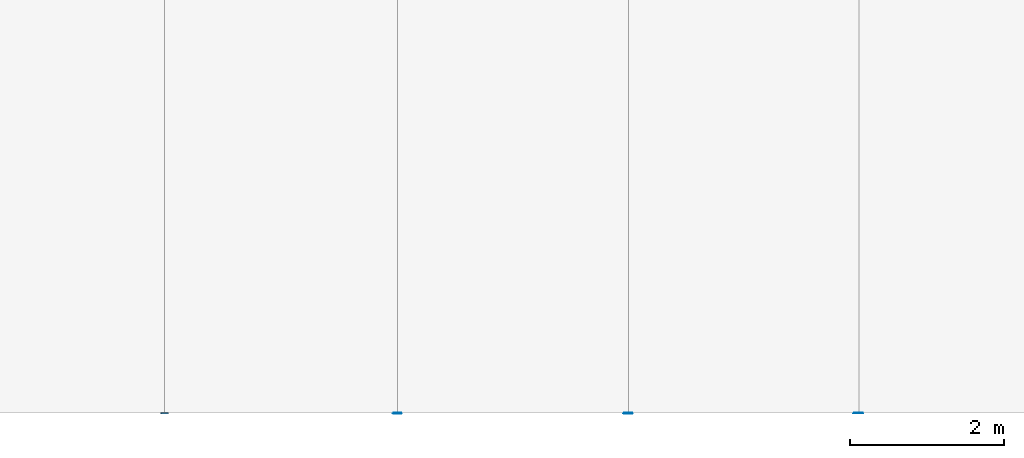
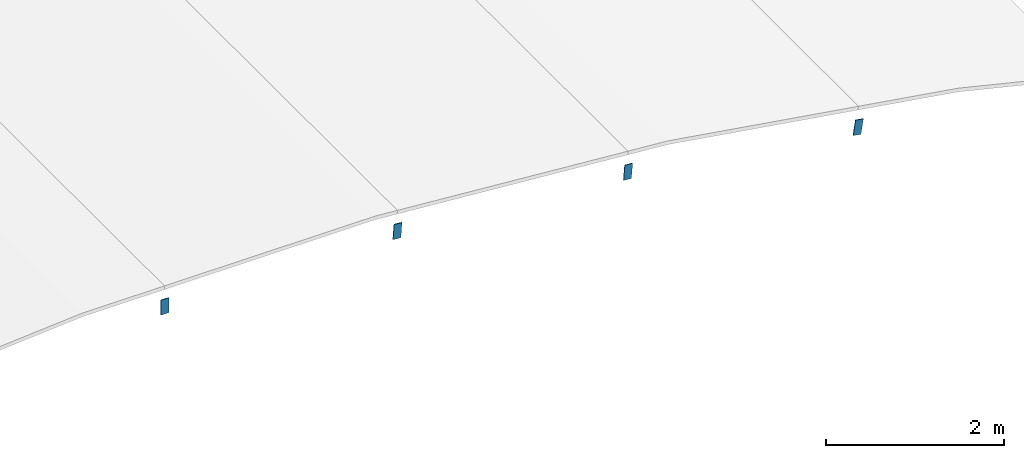
# One storey, part 8 of 13: 4 discrete accessories.
"""IFC4 building model written with IfcOpenShell, lengths in metres."""

import ifcopenshell
import ifcopenshell.guid

model = None  # the IFC model being written
_history = None  # IfcOwnerHistory: only IFC2X3 demands one
_inside = {}  # id of a spatial element -> (the spatial element, [elements in it])
_under = {}  # id of a project, library or spatial element -> (it, [spatial elements below it])
_declared = {}  # id of a project -> (the project, [libraries it declares])
_typed = {}  # id of a type object -> (the type object, [elements of that type])
_made_of = {}  # id of a material, layer set ... -> (it, [elements and type objects made of it])


def new_model(schema):
    """Start an empty IFC model of exactly this schema.

    Asked for "IFC4X3", IfcOpenShell would pick the latest addendum, in which some entities
    have other attributes; the version numbers below select the first issue.
    IFC2X3 requires an IfcOwnerHistory on every rooted entity: one is made here for all.
    """
    global model, _history
    if schema == "IFC4X3":
        model = ifcopenshell.file(schema_version=(4, 3, 0, 0))
    else:
        model = ifcopenshell.file(schema=schema)
    _inside.clear()
    _under.clear()
    _declared.clear()
    _typed.clear()
    _made_of.clear()
    _history = None
    if model.schema == "IFC2X3":
        org = make("IfcOrganization", Name="unknown")
        user = make(
            "IfcPersonAndOrganization",
            ThePerson=make("IfcPerson", FamilyName="unknown"),
            TheOrganization=org,
        )
        app = make(
            "IfcApplication",
            ApplicationDeveloper=org,
            Version="unknown",
            ApplicationFullName="unknown",
            ApplicationIdentifier="unknown",
        )
        _history = make(
            "IfcOwnerHistory",
            OwningUser=user,
            OwningApplication=app,
            ChangeAction="ADDED",
            CreationDate=0,
        )
    return model


def make(cls, **values):
    """One entity of the class cls with the attributes given. An attribute that is None is left unset."""
    return model.create_entity(
        cls, **{name: value for name, value in values.items() if value is not None}
    )


def rooted(cls, **values):
    """An entity with a GlobalId (a new one), such as an element, a storey or a relation."""
    return make(cls, GlobalId=ifcopenshell.guid.new(), OwnerHistory=_history, **values)


def si_unit(unit_type, name, prefix=None):
    """IfcSIUnit, for example si_unit("LENGTHUNIT", "METRE", prefix="MILLI")."""
    return make("IfcSIUnit", UnitType=unit_type, Prefix=prefix, Name=name)


def assignment(units):
    """IfcUnitAssignment: the units of a project."""
    return None if units is None else make("IfcUnitAssignment", Units=units)


def point(xyz):
    """IfcCartesianPoint."""
    return None if xyz is None else make("IfcCartesianPoint", Coordinates=xyz)


def direction(xyz):
    """IfcDirection."""
    return None if xyz is None else make("IfcDirection", DirectionRatios=xyz)


def frame(location, z_axis=None, x_axis=None):
    """IfcAxis2Placement3D, a coordinate frame: its origin and axes. An axis left out is left unset."""
    return make(
        "IfcAxis2Placement3D",
        Location=point(location),
        Axis=direction(z_axis),
        RefDirection=direction(x_axis),
    )


def frame_2d(location, x_axis=None):
    """IfcAxis2Placement2D, a coordinate frame in the plane: its origin and x axis."""
    return make(
        "IfcAxis2Placement2D", Location=point(location), RefDirection=direction(x_axis)
    )


def origin():
    """The frame at (0, 0, 0) with its axes left unset."""
    return frame((0.0, 0.0, 0.0))


def origin_2d():
    """The frame at (0, 0) in the plane with its x axis left unset."""
    return frame_2d((0.0, 0.0))


def place(relative_to, where):
    """IfcLocalPlacement: puts the frame where relative to a parent placement (None: the world)."""
    return make(
        "IfcLocalPlacement", PlacementRelTo=relative_to, RelativePlacement=where
    )


def context(
    kind, dimensions, precision=None, world=None, true_north=None, identifier=None
):
    """IfcGeometricRepresentationContext, for example the 3D "Model" context."""
    return make(
        "IfcGeometricRepresentationContext",
        ContextIdentifier=identifier,
        ContextType=kind,
        CoordinateSpaceDimension=dimensions,
        Precision=precision,
        WorldCoordinateSystem=world,
        TrueNorth=true_north,
    )


def subcontext(parent, identifier, kind, view, scale=None):
    """IfcGeometricRepresentationSubContext, for example "Body" below "Model"."""
    return make(
        "IfcGeometricRepresentationSubContext",
        ContextIdentifier=identifier,
        ContextType=kind,
        ParentContext=parent,
        TargetScale=scale,
        TargetView=view,
    )


def project(units=None, contexts=None):
    """IfcProject with its units and contexts."""
    return rooted(
        "IfcProject",
        Name="project",
        RepresentationContexts=contexts,
        UnitsInContext=assignment(units),
    )


def spatial(cls, under=None, at=None, **own):
    """A site, building, storey or space (cls), placed at a placement, below another one or the project."""
    s = rooted(cls, ObjectPlacement=at, **own)
    if under is not None:
        _under.setdefault(under.id(), (under, []))[1].append(s)
    return s


def profile(cls, at=None, kind="AREA", **sizes):
    """A parametric profile (cls). Its sizes go by their IFC names, for example OverallWidth=200.0."""
    return make(cls, ProfileType=kind, Position=at, **sizes)


def rectangle(**sizes):
    """IfcRectangleProfileDef."""
    return profile("IfcRectangleProfileDef", **sizes)


def extrude(swept, where, along, depth):
    """IfcExtrudedAreaSolid: the profile swept, set in the frame where, extruded along a direction by depth."""
    return make(
        "IfcExtrudedAreaSolid",
        SweptArea=swept,
        Position=where,
        ExtrudedDirection=direction(along),
        Depth=depth,
    )


def shape(context_of_items, identifier, shape_type, items):
    """IfcShapeRepresentation: the items that make up one representation, for example the "Body"."""
    return make(
        "IfcShapeRepresentation",
        ContextOfItems=context_of_items,
        RepresentationIdentifier=identifier,
        RepresentationType=shape_type,
        Items=items,
    )


def material(Name=None, Category=None):
    """IfcMaterial."""
    return make("IfcMaterial", Name=Name, Category=Category)


def material_profile(
    of_material, cross_section, Name=None, Category=None, Priority=None
):
    """IfcMaterialProfile: a cross section and its material."""
    return make(
        "IfcMaterialProfile",
        Name=Name,
        Material=of_material,
        Profile=cross_section,
        Priority=Priority,
        Category=Category,
    )


def profile_set(profiles, Name=None, composite=None):
    """IfcMaterialProfileSet."""
    return make(
        "IfcMaterialProfileSet",
        Name=Name,
        MaterialProfiles=profiles,
        CompositeProfile=composite,
    )


def made_of(thing, what):
    """Note that an element or type object is made of a material, layer set ...; save() writes the relation."""
    if what is not None:
        _made_of.setdefault(what.id(), (what, []))[1].append(thing)
    return thing


def type_object(cls, material=None, **own):
    """A type object (cls), such as IfcWallType, which elements share."""
    return made_of(rooted(cls, **own), material)


def element(
    cls,
    number,
    at=None,
    inside=None,
    cuts=None,
    type_object=None,
    material=None,
    context=None,
    identifier="Body",
    shape_type=None,
    held_by="IfcProductDefinitionShape",
    body=None,
    shapes=None,
    **own,
):
    """One element of the class cls, such as IfcWall. Its Tag is "e" and its number.

    at: its placement. inside: the storey or other place that contains it. cuts: it is an
    opening in that element (IfcRelVoidsElement). A single representation is given by context,
    identifier, shape_type and body (its items); several are given by shapes. held_by: the class
    of the entity that holds the representations. save() writes the other relations.
    """
    e = rooted(cls, Tag="e%d" % number, ObjectPlacement=at, **own)
    if body is not None:
        shapes = [shape(context, identifier, shape_type, body)]
    if shapes is not None:
        e.Representation = make(held_by, Representations=shapes)
    if inside is not None:
        _inside.setdefault(inside.id(), (inside, []))[1].append(e)
    if cuts is not None:
        rooted(
            "IfcRelVoidsElement", RelatingBuildingElement=cuts, RelatedOpeningElement=e
        )
    if type_object is not None:
        _typed.setdefault(type_object.id(), (type_object, []))[1].append(e)
    return made_of(e, material)


def aggregate(whole, parts):
    """IfcRelAggregates: a whole, such as a stair, and the parts it consists of."""
    return rooted("IfcRelAggregates", RelatingObject=whole, RelatedObjects=parts)


def save(model, path):
    """Write the relations noted so far, then the file.

    IfcRelAggregates (storeys below a building ...), IfcRelContainedInSpatialStructure (elements
    in a storey), IfcRelDefinesByType, IfcRelAssociatesMaterial and IfcRelDeclares: one each for
    every whole, place, type object, material and project.
    """
    for whole, parts in _under.values():
        aggregate(whole, parts)
    for where, things in _inside.values():
        rooted(
            "IfcRelContainedInSpatialStructure",
            RelatedElements=things,
            RelatingStructure=where,
        )
    for kind, things in _typed.values():
        rooted("IfcRelDefinesByType", RelatedObjects=things, RelatingType=kind)
    for what, things in _made_of.values():
        rooted("IfcRelAssociatesMaterial", RelatedObjects=things, RelatingMaterial=what)
    for by, libraries in _declared.values():
        rooted("IfcRelDeclares", RelatingContext=by, RelatedDefinitions=libraries)
    model.write(path)


model = new_model("IFC4")

# Units and contexts
model_context = context("Model", 3, precision=1e-05, world=origin(), true_north=direction((0.0, 1.0)))
body_context = subcontext(model_context, "Body", "Model", "MODEL_VIEW")
ifc_project = project(units=[si_unit("LENGTHUNIT", "METRE"), si_unit("AREAUNIT", "SQUARE_METRE"), si_unit("VOLUMEUNIT", "CUBIC_METRE"), si_unit("PLANEANGLEUNIT", "RADIAN"), si_unit("MASSUNIT", "GRAM", prefix="KILO")], contexts=[model_context])

# Site, building, storey
site_placement = place(None, origin())
site = spatial("IfcSite", under=ifc_project, at=site_placement, CompositionType="ELEMENT")
building_placement = place(site_placement, origin())
building = spatial("IfcBuilding", under=site, at=building_placement, Name="Verrick Yard Athletic Hall", CompositionType="ELEMENT")
storey_placement = place(building_placement, frame((0.0, 0.0, 21.5)))
storey = spatial("IfcBuildingStorey", under=building, at=storey_placement, Name="Upper Roof", CompositionType="ELEMENT", Elevation=21.5)

# Discrete accessories
ifc_material = material(Name="Structural steel 350W (CSA G40.21)", Category="steel")
ifc_material_profile = material_profile(ifc_material, rectangle(XDim=0.1015625, YDim=0.203125, at=origin_2d()), Name="STR End cap plate 203x102x9.5")
ifc_profile_set = profile_set([ifc_material_profile], Name="Structural steel 350W (CSA G40.21)")
discrete_accessory_type = type_object("IfcDiscreteAccessoryType", Name="STR End cap plate 203x102x9.5", PredefinedType="BRACKET", material=ifc_profile_set)
for number, where, z_axis, x_axis, name in (
    (1, (150.767578125, 71.989990234375, 1.19140625), (0.0, 1.0, 0.0), (-0.996927304266, 0.0, 0.078332305011), "End cap HB-PU-A-1-11 A"),
    (2, (147.77685546875, 71.989990234375, 1.42626953125), (0.0, 1.0, 0.0), (-0.996927304266, 0.0, 0.078332305011), "End cap HB-PU-A-1-10 A"),
    (3, (144.759765625, 71.989990234375, 1.448974609375), (0.0, 1.0, 0.0), (-1.0, 0.0, 0.0), "End cap HB-PU-A-1-9 A"),
    (4, (153.7529296875, 71.989990234375, 0.758544921875), (0.0, 1.0, 0.0), (-0.987728086354, 0.0, 0.156183313539), "End cap HB-PU-A-1-12 A"),
):
    element("IfcDiscreteAccessory", number, at=place(storey_placement, frame(where, z_axis=z_axis, x_axis=x_axis)), inside=storey, type_object=discrete_accessory_type, Name=name, PredefinedType="BRACKET", context=body_context, shape_type="SweptSolid", body=[
        extrude(rectangle(XDim=0.1015625, YDim=0.203125, at=origin_2d()), origin(), (0.0, 0.0, 1.0), 0.010009765625),
    ])

save(model, "model.ifc")
